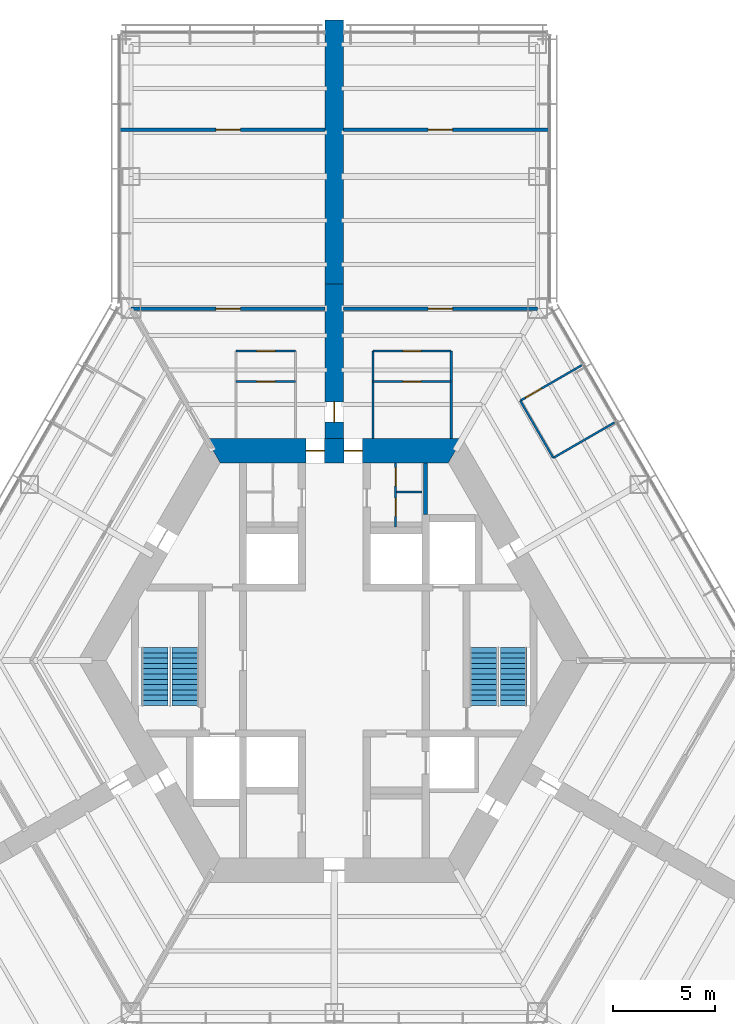
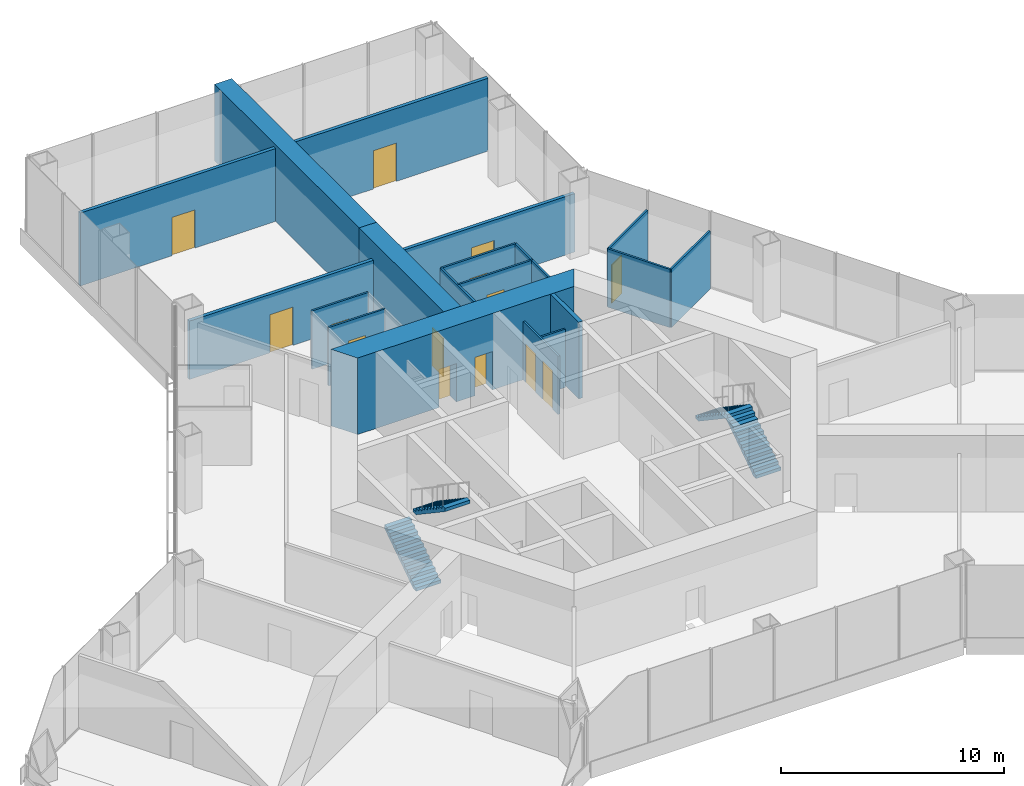
# One storey, part 13 of 16: 19 walls, 14 doors, 4 stair flights, 14 openings, 2 elements without a shape of their own.
"""IFC4 building model written with IfcOpenShell, lengths in metres."""

from ifc_helpers import new_model, si_unit, direction, frame, frame_2d, origin, place, context, subcontext, project, spatial, polyline, rectangle, outline, extrude, material, layer, layer_set, type_object, element, fill, aggregate, save


model = new_model("IFC4")

# Units and contexts
model_context = context("Model", 3, precision=1e-05, world=origin(), true_north=direction((0.0, 1.0)))
body_context = subcontext(model_context, "Body", "Model", "MODEL_VIEW")
ifc_project = project(units=[si_unit("LENGTHUNIT", "METRE"), si_unit("AREAUNIT", "SQUARE_METRE"), si_unit("VOLUMEUNIT", "CUBIC_METRE"), si_unit("PLANEANGLEUNIT", "RADIAN"), si_unit("MASSUNIT", "GRAM", prefix="KILO")], contexts=[model_context])

# Site, building, storey
site_placement = place(None, origin())
site = spatial("IfcSite", under=ifc_project, at=site_placement, CompositionType="ELEMENT")
building_placement = place(site_placement, origin())
building = spatial("IfcBuilding", under=site, at=building_placement, Name="Kasaneha Research Tower", CompositionType="ELEMENT")
storey_placement = place(building_placement, frame((0.0, 0.0, 18.39990234375)))
storey = spatial("IfcBuildingStorey", under=building, at=storey_placement, Name="L05", CompositionType="ELEMENT", Elevation=18.39990234375)

# Wall, openings, doors
ifc_material_1 = material(Name="Concrete Fc100", Category="concrete")
ifc_layer_1 = layer(ifc_material_1, 1.199951171875)
ifc_layer_set_1 = layer_set([ifc_layer_1], Name="Core wall 1200 Fc100")
wall_type_1 = type_object("IfcWallType", Name="Core wall 1200 Fc100", PredefinedType="SHEAR", material=ifc_layer_set_1)
wall_1_placement = place(storey_placement, frame((5.961181640625, 10.324951171875, 0.0), z_axis=(0.0, 0.0, 1.0), x_axis=(-1.0, 0.0, 0.0)))
wall_1 = element("IfcWall", 1, at=wall_1_placement, inside=storey, type_object=wall_type_1, Name="Core wall 090 L05", PredefinedType="SHEAR", context=body_context, shape_type="SweptSolid", body=[
    extrude(outline(polyline([(-0.346435546875, -0.60009765625), (4.57373046875, -0.60009765625), (5.4736328125, -0.60009765625), (6.44873046875, -0.60009765625), (7.3486328125, -0.60009765625), (12.268798828125, -0.60009765625), (11.575927734375, 0.60009765625), (7.3486328125, 0.60009765625), (6.44873046875, 0.60009765625), (5.4736328125, 0.60009765625), (4.57373046875, 0.60009765625), (0.346435546875, 0.60009765625), (-0.346435546875, -0.60009765625)])), origin(), (0.0, 0.0, 1.0), 4.2001953125),
])
opening_1_placement = place(wall_1_placement, frame((6.44873046875, 0.0, 0.0)))
opening_1 = element("IfcOpeningElement", 2, at=opening_1_placement, cuts=wall_1, Name="Opening L05-D01", PredefinedType="OPENING", context=body_context, shape_type="SweptSolid", body=[
    extrude(rectangle(XDim=0.89990234375, YDim=2.10009765625, at=frame_2d((0.449951171875, 1.050048828125))), frame((0.0, 0.60986328125, 0.0), z_axis=(0.0, -1.0, 0.0), x_axis=(1.0, 0.0, 0.0)), (0.0, 0.0, 1.0), 1.219970703125),
])
opening_2_placement = place(wall_1_placement, frame((4.57373046875, 0.0, 0.0)))
opening_2 = element("IfcOpeningElement", 3, at=opening_2_placement, cuts=wall_1, Name="Opening L05-D02", PredefinedType="OPENING", context=body_context, shape_type="SweptSolid", body=[
    extrude(rectangle(XDim=0.89990234375, YDim=2.10009765625, at=frame_2d((0.449951171875, 1.050048828125))), frame((0.0, 0.60986328125, 0.0), z_axis=(0.0, -1.0, 0.0), x_axis=(1.0, 0.0, 0.0)), (0.0, 0.0, 1.0), 1.219970703125),
])
ifc_material_2 = material(Name="Steel", Category="steel")
door_type_1 = type_object("IfcDoorType", Name="Toilet door FD20 900x2100", OperationType="NOTDEFINED", PredefinedType="DOOR", material=ifc_material_2)
door_1_placement = place(opening_1_placement, origin())
door_1 = element("IfcDoor", 4, at=door_1_placement, inside=storey, type_object=door_type_1, Name="Core door north 1 L05-D01", OperationType="SINGLE_SWING_RIGHT", OverallHeight=2.10009765625, OverallWidth=0.89990234375, PredefinedType="DOOR", context=body_context, shape_type="SweptSolid", body=[
    extrude(rectangle(XDim=0.89990234375, YDim=2.10009765625, at=frame_2d((0.449951171875, 1.050048828125))), frame((0.0, 0.02490234375, 0.0), z_axis=(0.0, -1.0, 0.0), x_axis=(1.0, 0.0, 0.0)), (0.0, 0.0, 1.0), 0.050048828125),
])
fill(opening_1, door_1)
door_2_placement = place(opening_2_placement, origin())
door_2 = element("IfcDoor", 5, at=door_2_placement, inside=storey, type_object=door_type_1, Name="Core door north 2 L05-D02", OperationType="SINGLE_SWING_LEFT", OverallHeight=2.10009765625, OverallWidth=0.89990234375, PredefinedType="DOOR", context=body_context, shape_type="SweptSolid", body=[
    extrude(rectangle(XDim=0.89990234375, YDim=2.10009765625, at=frame_2d((0.449951171875, 1.050048828125))), frame((0.0, 0.02490234375, 0.0), z_axis=(0.0, -1.0, 0.0), x_axis=(1.0, 0.0, 0.0)), (0.0, 0.0, 1.0), 0.050048828125),
])
fill(opening_2, door_2)

# Wall, opening, door
ifc_material_3 = material(Name="Gypsum board on steel studs, two layers each side", Category="steel")
ifc_layer_2 = layer(ifc_material_3, 0.175048828125)
ifc_layer_set_2 = layer_set([ifc_layer_2], Name="Laboratory fire partition 175")
wall_type_2 = type_object("IfcWallType", Name="Laboratory fire partition 175", PredefinedType="PARTITIONING", material=ifc_layer_set_2)
wall_2_placement = place(storey_placement, frame((0.449951171875, 17.320556640625, 0.0), z_axis=(0.0, 0.0, 1.0), x_axis=(1.0, 0.0, 0.0)))
wall_2 = element("IfcWall", 6, at=wall_2_placement, inside=storey, type_object=wall_type_2, Name="Laboratory fire partition LABA-E L05", PredefinedType="PARTITIONING", context=body_context, shape_type="SweptSolid", body=[
    extrude(rectangle(XDim=9.550048828125, YDim=0.175048828125, at=frame_2d((4.77490234375, 0.0))), origin(), (0.0, 0.0, 1.0), 3.2080078125),
])
opening_3_placement = place(wall_2_placement, frame((4.175048828125, 0.0, 0.0)))
opening_3 = element("IfcOpeningElement", 7, at=opening_3_placement, cuts=wall_2, Name="Opening L05-D29", PredefinedType="OPENING", context=body_context, shape_type="SweptSolid", body=[
    extrude(rectangle(XDim=1.199951171875, YDim=2.10009765625, at=frame_2d((0.60009765625, 1.050048828125))), frame((0.0, 0.09765625, 0.0), z_axis=(0.0, -1.0, 0.0), x_axis=(1.0, 0.0, 0.0)), (0.0, 0.0, 1.0), 0.195068359375),
])
ifc_material_4 = material(Name="Steel", Category="steel")
door_type_2 = type_object("IfcDoorType", Name="Laboratory door FD60 1200x2100", OperationType="DOUBLE_DOOR_SINGLE_SWING", PredefinedType="DOOR", material=ifc_material_4)
door_3_placement = place(opening_3_placement, origin())
door_3 = element("IfcDoor", 8, at=door_3_placement, inside=storey, type_object=door_type_2, Name="Laboratory door L05-D29", OperationType="DOUBLE_DOOR_SINGLE_SWING", OverallHeight=2.10009765625, OverallWidth=1.199951171875, PredefinedType="DOOR", context=body_context, shape_type="SweptSolid", body=[
    extrude(rectangle(XDim=1.199951171875, YDim=2.10009765625, at=frame_2d((0.60009765625, 1.050048828125))), frame((0.0, 0.02490234375, 0.0), z_axis=(0.0, -1.0, 0.0), x_axis=(1.0, 0.0, 0.0)), (0.0, 0.0, 1.0), 0.050048828125),
])
fill(opening_3, door_3)

wall_3_placement = place(storey_placement, frame((0.449951171875, 26.12060546875, 0.0), z_axis=(0.0, 0.0, 1.0), x_axis=(1.0, 0.0, 0.0)))
wall_3 = element("IfcWall", 9, at=wall_3_placement, inside=storey, type_object=wall_type_2, Name="Laboratory fire partition SUPA-E L05", PredefinedType="PARTITIONING", context=body_context, shape_type="SweptSolid", body=[
    extrude(rectangle(XDim=10.135009765625, YDim=0.175048828125, at=frame_2d((5.0673828125, 0.0))), origin(), (0.0, 0.0, 1.0), 4.0),
])
opening_4_placement = place(wall_3_placement, frame((4.175048828125, 0.0, 0.0)))
opening_4 = element("IfcOpeningElement", 10, at=opening_4_placement, cuts=wall_3, Name="Opening L05-D31", PredefinedType="OPENING", context=body_context, shape_type="SweptSolid", body=[
    extrude(rectangle(XDim=1.199951171875, YDim=2.10009765625, at=frame_2d((0.60009765625, 1.050048828125))), frame((0.0, 0.09765625, 0.0), z_axis=(0.0, -1.0, 0.0), x_axis=(1.0, 0.0, 0.0)), (0.0, 0.0, 1.0), 0.195068359375),
])
door_4_placement = place(opening_4_placement, origin())
door_4 = element("IfcDoor", 11, at=door_4_placement, inside=storey, type_object=door_type_2, Name="Laboratory support room door L05-D31", OperationType="DOUBLE_DOOR_SINGLE_SWING", OverallHeight=2.10009765625, OverallWidth=1.199951171875, PredefinedType="DOOR", context=body_context, shape_type="SweptSolid", body=[
    extrude(rectangle(XDim=1.199951171875, YDim=2.10009765625, at=frame_2d((0.60009765625, 1.050048828125))), frame((0.0, 0.02490234375, 0.0), z_axis=(0.0, -1.0, 0.0), x_axis=(1.0, 0.0, 0.0)), (0.0, 0.0, 1.0), 0.050048828125),
])
fill(opening_4, door_4)

wall_4_placement = place(storey_placement, frame((-0.449951171875, 17.320556640625, 0.0), z_axis=(0.0, 0.0, 1.0), x_axis=(-1.0, 0.0, 0.0)))
wall_4 = element("IfcWall", 12, at=wall_4_placement, inside=storey, type_object=wall_type_2, Name="Laboratory fire partition LABA-W L05", PredefinedType="PARTITIONING", context=body_context, shape_type="SweptSolid", body=[
    extrude(rectangle(XDim=9.550048828125, YDim=0.175048828125, at=frame_2d((4.77490234375, 0.0))), origin(), (0.0, 0.0, 1.0), 3.2080078125),
])
opening_5_placement = place(wall_4_placement, frame((4.175048828125, 0.0, 0.0)))
opening_5 = element("IfcOpeningElement", 13, at=opening_5_placement, cuts=wall_4, Name="Opening L05-D34", PredefinedType="OPENING", context=body_context, shape_type="SweptSolid", body=[
    extrude(rectangle(XDim=1.199951171875, YDim=2.10009765625, at=frame_2d((0.60009765625, 1.050048828125))), frame((0.0, 0.09765625, 0.0), z_axis=(0.0, -1.0, 0.0), x_axis=(1.0, 0.0, 0.0)), (0.0, 0.0, 1.0), 0.195068359375),
])
door_5_placement = place(opening_5_placement, origin())
door_5 = element("IfcDoor", 14, at=door_5_placement, inside=storey, type_object=door_type_2, Name="Laboratory door L05-D34", OperationType="DOUBLE_DOOR_SINGLE_SWING", OverallHeight=2.10009765625, OverallWidth=1.199951171875, PredefinedType="DOOR", context=body_context, shape_type="SweptSolid", body=[
    extrude(rectangle(XDim=1.199951171875, YDim=2.10009765625, at=frame_2d((0.60009765625, 1.050048828125))), frame((0.0, 0.02490234375, 0.0), z_axis=(0.0, -1.0, 0.0), x_axis=(1.0, 0.0, 0.0)), (0.0, 0.0, 1.0), 0.050048828125),
])
fill(opening_5, door_5)

wall_5_placement = place(storey_placement, frame((-0.449951171875, 26.12060546875, 0.0), z_axis=(0.0, 0.0, 1.0), x_axis=(-1.0, 0.0, 0.0)))
wall_5 = element("IfcWall", 15, at=wall_5_placement, inside=storey, type_object=wall_type_2, Name="Laboratory fire partition SUPA-W L05", PredefinedType="PARTITIONING", context=body_context, shape_type="SweptSolid", body=[
    extrude(rectangle(XDim=10.135009765625, YDim=0.175048828125, at=frame_2d((5.0673828125, 0.0))), origin(), (0.0, 0.0, 1.0), 4.0),
])
opening_6_placement = place(wall_5_placement, frame((4.175048828125, 0.0, 0.0)))
opening_6 = element("IfcOpeningElement", 16, at=opening_6_placement, cuts=wall_5, Name="Opening L05-D35", PredefinedType="OPENING", context=body_context, shape_type="SweptSolid", body=[
    extrude(rectangle(XDim=1.199951171875, YDim=2.10009765625, at=frame_2d((0.60009765625, 1.050048828125))), frame((0.0, 0.09765625, 0.0), z_axis=(0.0, -1.0, 0.0), x_axis=(1.0, 0.0, 0.0)), (0.0, 0.0, 1.0), 0.195068359375),
])
door_6_placement = place(opening_6_placement, origin())
door_6 = element("IfcDoor", 17, at=door_6_placement, inside=storey, type_object=door_type_2, Name="Laboratory support room door L05-D35", OperationType="DOUBLE_DOOR_SINGLE_SWING", OverallHeight=2.10009765625, OverallWidth=1.199951171875, PredefinedType="DOOR", context=body_context, shape_type="SweptSolid", body=[
    extrude(rectangle(XDim=1.199951171875, YDim=2.10009765625, at=frame_2d((0.60009765625, 1.050048828125))), frame((0.0, 0.02490234375, 0.0), z_axis=(0.0, -1.0, 0.0), x_axis=(1.0, 0.0, 0.0)), (0.0, 0.0, 1.0), 0.050048828125),
])
fill(opening_6, door_6)

# Wall, openings, doors
ifc_material_5 = material(Name="Gypsum board on steel studs, one layer each side", Category="steel")
ifc_layer_3 = layer(ifc_material_5, 0.10009765625)
ifc_layer_set_3 = layer_set([ifc_layer_3], Name="Office partition 100")
wall_type_3 = type_object("IfcWallType", Name="Office partition 100", PredefinedType="PARTITIONING", material=ifc_layer_set_3)
wall_6_placement = place(storey_placement, frame((3.02490234375, 6.574951171875, 0.0), z_axis=(0.0, 0.0, 1.0), x_axis=(0.0, 1.0, 0.0)))
wall_6 = element("IfcWall", 18, at=wall_6_placement, inside=storey, type_object=wall_type_3, Name="Office partition TBF1 L05", PredefinedType="PARTITIONING", context=body_context, shape_type="SweptSolid", body=[
    extrude(rectangle(XDim=3.150146484375, YDim=0.10009765625, at=frame_2d((1.5751953125, 0.0))), origin(), (0.0, 0.0, 1.0), 3.2001953125),
])
opening_7_placement = place(wall_6_placement, frame((0.512451171875, 0.0, 0.0)))
opening_7 = element("IfcOpeningElement", 19, at=opening_7_placement, cuts=wall_6, Name="Opening L05-D22", PredefinedType="OPENING", context=body_context, shape_type="SweptSolid", body=[
    extrude(rectangle(XDim=0.89990234375, YDim=2.10009765625, at=frame_2d((0.449951171875, 1.050048828125))), frame((0.0, 0.06005859375, 0.0), z_axis=(0.0, -1.0, 0.0), x_axis=(1.0, 0.0, 0.0)), (0.0, 0.0, 1.0), 0.1201171875),
])
opening_8_placement = place(wall_6_placement, frame((2.012451171875, 0.0, 0.0)))
opening_8 = element("IfcOpeningElement", 20, at=opening_8_placement, cuts=wall_6, Name="Opening L05-D23", PredefinedType="OPENING", context=body_context, shape_type="SweptSolid", body=[
    extrude(rectangle(XDim=0.89990234375, YDim=2.10009765625, at=frame_2d((0.449951171875, 1.050048828125))), frame((0.0, 0.06005859375, 0.0), z_axis=(0.0, -1.0, 0.0), x_axis=(1.0, 0.0, 0.0)), (0.0, 0.0, 1.0), 0.1201171875),
])
ifc_material_6 = material(Name="Steel", Category="steel")
door_type_3 = type_object("IfcDoorType", Name="Toilet lobby door FD30 900x2100", OperationType="NOTDEFINED", PredefinedType="DOOR", material=ifc_material_6)
door_7_placement = place(opening_7_placement, origin())
door_7 = element("IfcDoor", 21, at=door_7_placement, inside=storey, type_object=door_type_3, Name="Women's WC door L05-D22", OperationType="SINGLE_SWING_RIGHT", OverallHeight=2.10009765625, OverallWidth=0.89990234375, PredefinedType="DOOR", context=body_context, shape_type="SweptSolid", body=[
    extrude(rectangle(XDim=0.89990234375, YDim=2.10009765625, at=frame_2d((0.449951171875, 1.050048828125))), frame((0.0, 0.02490234375, 0.0), z_axis=(0.0, -1.0, 0.0), x_axis=(1.0, 0.0, 0.0)), (0.0, 0.0, 1.0), 0.050048828125),
])
fill(opening_7, door_7)
door_8_placement = place(opening_8_placement, origin())
door_8 = element("IfcDoor", 22, at=door_8_placement, inside=storey, type_object=door_type_3, Name="Staff WC door L05-D23", OperationType="SINGLE_SWING_RIGHT", OverallHeight=2.10009765625, OverallWidth=0.89990234375, PredefinedType="DOOR", context=body_context, shape_type="SweptSolid", body=[
    extrude(rectangle(XDim=0.89990234375, YDim=2.10009765625, at=frame_2d((0.449951171875, 1.050048828125))), frame((0.0, 0.02490234375, 0.0), z_axis=(0.0, -1.0, 0.0), x_axis=(1.0, 0.0, 0.0)), (0.0, 0.0, 1.0), 0.050048828125),
])
fill(opening_8, door_8)

# Wall
wall_7_placement = place(storey_placement, frame((3.074951171875, 8.300048828125, 0.0), z_axis=(0.0, 0.0, 1.0), x_axis=(1.0, 0.0, 0.0)))
element("IfcWall", 23, at=wall_7_placement, inside=storey, type_object=wall_type_3, Name="Office partition TBF2 L05", PredefinedType="PARTITIONING", context=body_context, shape_type="SweptSolid", body=[
    extrude(rectangle(XDim=1.25, YDim=0.10009765625, at=frame_2d((0.625, 0.0))), origin(), (0.0, 0.0, 1.0), 3.2001953125),
])

# Wall, opening, door
wall_8_placement = place(storey_placement, frame((1.89990234375, 13.72509765625, 0.0), z_axis=(0.0, 0.0, 1.0), x_axis=(1.0, 0.0, 0.0)))
wall_8 = element("IfcWall", 24, at=wall_8_placement, inside=storey, type_object=wall_type_3, Name="Office partition WCAE1 L05", PredefinedType="PARTITIONING", context=body_context, shape_type="SweptSolid", body=[
    extrude(rectangle(XDim=3.857177734375, YDim=0.10009765625, at=frame_2d((1.9287109375, 0.0))), origin(), (0.0, 0.0, 1.0), 3.2001953125),
])
opening_9_placement = place(wall_8_placement, frame((1.478515625, 0.0, 0.0)))
opening_9 = element("IfcOpeningElement", 25, at=opening_9_placement, cuts=wall_8, Name="Opening L05-D27", PredefinedType="OPENING", context=body_context, shape_type="SweptSolid", body=[
    extrude(rectangle(XDim=0.89990234375, YDim=2.10009765625, at=frame_2d((0.449951171875, 1.050048828125))), frame((0.0, 0.06005859375, 0.0), z_axis=(0.0, -1.0, 0.0), x_axis=(1.0, 0.0, 0.0)), (0.0, 0.0, 1.0), 0.1201171875),
])
door_9_placement = place(opening_9_placement, origin())
door_9 = element("IfcDoor", 26, at=door_9_placement, inside=storey, type_object=door_type_3, Name="Women's WC door L05-D27", OperationType="SINGLE_SWING_RIGHT", OverallHeight=2.10009765625, OverallWidth=0.89990234375, PredefinedType="DOOR", context=body_context, shape_type="SweptSolid", body=[
    extrude(rectangle(XDim=0.89990234375, YDim=2.10009765625, at=frame_2d((0.449951171875, 1.050048828125))), frame((0.0, 0.02490234375, 0.0), z_axis=(0.0, -1.0, 0.0), x_axis=(1.0, 0.0, 0.0)), (0.0, 0.0, 1.0), 0.050048828125),
])
fill(opening_9, door_9)

wall_9_placement = place(storey_placement, frame((1.89990234375, 15.22509765625, 0.0), z_axis=(0.0, 0.0, 1.0), x_axis=(1.0, 0.0, 0.0)))
wall_9 = element("IfcWall", 27, at=wall_9_placement, inside=storey, type_object=wall_type_3, Name="Office partition WCAE4 L05", PredefinedType="PARTITIONING", context=body_context, shape_type="SweptSolid", body=[
    extrude(rectangle(XDim=3.857177734375, YDim=0.10009765625, at=frame_2d((1.9287109375, 0.0))), origin(), (0.0, 0.0, 1.0), 3.2001953125),
])
opening_10_placement = place(wall_9_placement, frame((1.478515625, 0.0, 0.0)))
opening_10 = element("IfcOpeningElement", 28, at=opening_10_placement, cuts=wall_9, Name="Opening L05-D28", PredefinedType="OPENING", context=body_context, shape_type="SweptSolid", body=[
    extrude(rectangle(XDim=0.89990234375, YDim=2.10009765625, at=frame_2d((0.449951171875, 1.050048828125))), frame((0.0, 0.06005859375, 0.0), z_axis=(0.0, -1.0, 0.0), x_axis=(1.0, 0.0, 0.0)), (0.0, 0.0, 1.0), 0.1201171875),
])
door_10_placement = place(opening_10_placement, origin())
door_10 = element("IfcDoor", 29, at=door_10_placement, inside=storey, type_object=door_type_3, Name="Toilet lobby door L05-D28", OperationType="SINGLE_SWING_RIGHT", OverallHeight=2.10009765625, OverallWidth=0.89990234375, PredefinedType="DOOR", context=body_context, shape_type="SweptSolid", body=[
    extrude(rectangle(XDim=0.89990234375, YDim=2.10009765625, at=frame_2d((0.449951171875, 1.050048828125))), frame((0.0, 0.02490234375, 0.0), z_axis=(0.0, -1.0, 0.0), x_axis=(1.0, 0.0, 0.0)), (0.0, 0.0, 1.0), 0.050048828125),
])
fill(opening_10, door_10)

# Walls
for number, where, z_axis, x_axis, name in (
    (30, (1.89990234375, 10.925048828125, 0.0), (0.0, 0.0, 1.0), (0.0, 1.0, 0.0), "Office partition WCAE2 L05"),
    (31, (5.757080078125, 10.925048828125, 0.0), (0.0, 0.0, 1.0), (0.0, 1.0, 0.0), "Office partition WCAE3 L05"),
):
    element("IfcWall", number, at=place(storey_placement, frame(where, z_axis=z_axis, x_axis=x_axis)), inside=storey, type_object=wall_type_3, Name=name, PredefinedType="PARTITIONING", context=body_context, shape_type="SweptSolid", body=[
        extrude(rectangle(XDim=4.300048828125, YDim=0.10009765625, at=frame_2d((2.14990234375, 0.0))), origin(), (0.0, 0.0, 1.0), 3.2001953125),
    ])

# Wall, opening, door
wall_10_placement = place(storey_placement, frame((9.155517578125, 12.783203125, 0.0), z_axis=(0.0, 0.0, 1.0), x_axis=(0.866013176292, 0.50002117804, 0.0)))
wall_10 = element("IfcWall", 32, at=wall_10_placement, inside=storey, type_object=wall_type_3, Name="Office partition FAE01 L05", PredefinedType="PARTITIONING", context=body_context, shape_type="SweptSolid", body=[
    extrude(rectangle(XDim=3.489990234375, YDim=0.10009765625, at=frame_2d((1.7451171875, 0.0))), origin(), (0.0, 0.0, 1.0), 3.2001953125),
])
opening_11_placement = place(wall_10_placement, frame((0.300048828125, 0.0, 0.0)))
opening_11 = element("IfcOpeningElement", 33, at=opening_11_placement, cuts=wall_10, Name="Opening L05-D30", PredefinedType="OPENING", context=body_context, shape_type="SweptSolid", body=[
    extrude(rectangle(XDim=0.89990234375, YDim=2.10009765625, at=frame_2d((0.449951171875, 1.050048828125))), frame((0.0, 0.06005859375, 0.0), z_axis=(0.0, -1.0, 0.0), x_axis=(1.0, 0.0, 0.0)), (0.0, 0.0, 1.0), 0.1201171875),
])
ifc_material_7 = material(Name="Timber veneer", Category="wood")
door_type_4 = type_object("IfcDoorType", Name="Office door 900x2100", OperationType="SINGLE_SWING_LEFT", PredefinedType="DOOR", material=ifc_material_7)
door_11_placement = place(opening_11_placement, origin())
door_11 = element("IfcDoor", 34, at=door_11_placement, inside=storey, type_object=door_type_4, Name="Specimen preparation room door L05-D30", OperationType="SINGLE_SWING_LEFT", OverallHeight=2.10009765625, OverallWidth=0.89990234375, PredefinedType="DOOR", context=body_context, shape_type="SweptSolid", body=[
    extrude(rectangle(XDim=0.89990234375, YDim=2.10009765625, at=frame_2d((0.449951171875, 1.050048828125))), frame((0.0, 0.02490234375, 0.0), z_axis=(0.0, -1.0, 0.0), x_axis=(1.0, 0.0, 0.0)), (0.0, 0.0, 1.0), 0.050048828125),
])
fill(opening_11, door_11)

# Walls
wall_11_placement = place(storey_placement, frame((10.77880859375, 9.9716796875, 0.0), z_axis=(0.0, 0.0, 1.0), x_axis=(-0.500013214685, 0.866017774148, 0.0)))
element("IfcWall", 35, at=wall_11_placement, inside=storey, type_object=wall_type_3, Name="Office partition FAE02 L05", PredefinedType="PARTITIONING", context=body_context, shape_type="SweptSolid", body=[
    extrude(rectangle(XDim=3.24658203125, YDim=0.10009765625, at=frame_2d((1.623291015625, 0.0))), origin(), (0.0, 0.0, 1.0), 3.2001953125),
])
wall_12_placement = place(storey_placement, frame((13.79248046875, 11.711669921875, 0.0), z_axis=(0.0, 0.0, 1.0), x_axis=(-0.86601968407, -0.500009906705, 0.0)))
element("IfcWall", 36, at=wall_12_placement, inside=storey, type_object=wall_type_3, Name="Office partition FAE03 L05", PredefinedType="PARTITIONING", context=body_context, shape_type="SweptSolid", body=[
    extrude(rectangle(XDim=3.47998046875, YDim=0.10009765625, at=frame_2d((1.739990234375, 0.0))), origin(), (0.0, 0.0, 1.0), 3.2001953125),
])

# Wall, opening, door
wall_13_placement = place(storey_placement, frame((-4.82861328125, 13.72509765625, 0.0), z_axis=(0.0, 0.0, 1.0), x_axis=(1.0, 0.0, 0.0)))
wall_13 = element("IfcWall", 37, at=wall_13_placement, inside=storey, type_object=wall_type_3, Name="Office partition WCAW1 L05", PredefinedType="PARTITIONING", context=body_context, shape_type="SweptSolid", body=[
    extrude(rectangle(XDim=2.9287109375, YDim=0.10009765625, at=frame_2d((1.46435546875, 0.0))), origin(), (0.0, 0.0, 1.0), 3.2001953125),
])
opening_12_placement = place(wall_13_placement, frame((1.01416015625, 0.0, 0.0)))
opening_12 = element("IfcOpeningElement", 38, at=opening_12_placement, cuts=wall_13, Name="Opening L05-D32", PredefinedType="OPENING", context=body_context, shape_type="SweptSolid", body=[
    extrude(rectangle(XDim=0.89990234375, YDim=2.10009765625, at=frame_2d((0.449951171875, 1.050048828125))), frame((0.0, 0.06005859375, 0.0), z_axis=(0.0, -1.0, 0.0), x_axis=(1.0, 0.0, 0.0)), (0.0, 0.0, 1.0), 0.1201171875),
])
door_12_placement = place(opening_12_placement, origin())
door_12 = element("IfcDoor", 39, at=door_12_placement, inside=storey, type_object=door_type_3, Name="Men's WC door L05-D32", OperationType="SINGLE_SWING_LEFT", OverallHeight=2.10009765625, OverallWidth=0.89990234375, PredefinedType="DOOR", context=body_context, shape_type="SweptSolid", body=[
    extrude(rectangle(XDim=0.89990234375, YDim=2.10009765625, at=frame_2d((0.449951171875, 1.050048828125))), frame((0.0, 0.02490234375, 0.0), z_axis=(0.0, -1.0, 0.0), x_axis=(1.0, 0.0, 0.0)), (0.0, 0.0, 1.0), 0.050048828125),
])
fill(opening_12, door_12)

wall_14_placement = place(storey_placement, frame((-4.82861328125, 15.22509765625, 0.0), z_axis=(0.0, 0.0, 1.0), x_axis=(1.0, 0.0, 0.0)))
wall_14 = element("IfcWall", 40, at=wall_14_placement, inside=storey, type_object=wall_type_3, Name="Office partition WCAW4 L05", PredefinedType="PARTITIONING", context=body_context, shape_type="SweptSolid", body=[
    extrude(rectangle(XDim=2.9287109375, YDim=0.10009765625, at=frame_2d((1.46435546875, 0.0))), origin(), (0.0, 0.0, 1.0), 3.2001953125),
])
opening_13_placement = place(wall_14_placement, frame((1.01416015625, 0.0, 0.0)))
opening_13 = element("IfcOpeningElement", 41, at=opening_13_placement, cuts=wall_14, Name="Opening L05-D33", PredefinedType="OPENING", context=body_context, shape_type="SweptSolid", body=[
    extrude(rectangle(XDim=0.89990234375, YDim=2.10009765625, at=frame_2d((0.449951171875, 1.050048828125))), frame((0.0, 0.06005859375, 0.0), z_axis=(0.0, -1.0, 0.0), x_axis=(1.0, 0.0, 0.0)), (0.0, 0.0, 1.0), 0.1201171875),
])
door_13_placement = place(opening_13_placement, origin())
door_13 = element("IfcDoor", 42, at=door_13_placement, inside=storey, type_object=door_type_3, Name="Toilet lobby door L05-D33", OperationType="SINGLE_SWING_LEFT", OverallHeight=2.10009765625, OverallWidth=0.89990234375, PredefinedType="DOOR", context=body_context, shape_type="SweptSolid", body=[
    extrude(rectangle(XDim=0.89990234375, YDim=2.10009765625, at=frame_2d((0.449951171875, 1.050048828125))), frame((0.0, 0.02490234375, 0.0), z_axis=(0.0, -1.0, 0.0), x_axis=(1.0, 0.0, 0.0)), (0.0, 0.0, 1.0), 0.050048828125),
])
fill(opening_13, door_13)

# Wall
ifc_material_8 = material(Name="Concrete block", Category="concrete")
ifc_layer_4 = layer(ifc_material_8, 0.199951171875)
ifc_layer_set_4 = layer_set([ifc_layer_4], Name="Riser enclosure wall 200")
wall_type_4 = type_object("IfcWallType", Name="Riser enclosure wall 200", PredefinedType="STANDARD", material=ifc_layer_set_4)
wall_15_placement = place(storey_placement, frame((4.5, 7.175048828125, 0.0), z_axis=(0.0, 0.0, 1.0), x_axis=(0.0, 1.0, 0.0)))
element("IfcWall", 43, at=wall_15_placement, inside=storey, type_object=wall_type_4, Name="Riser enclosure wall L05", PredefinedType="STANDARD", context=body_context, shape_type="SweptSolid", body=[
    extrude(rectangle(XDim=2.550048828125, YDim=0.199951171875, at=frame_2d((1.27490234375, 0.0))), origin(), (0.0, 0.0, 1.0), 4.2001953125),
])

# Wall, opening, door
ifc_material_9 = material(Name="Concrete Fc100", Category="concrete")
ifc_layer_5 = layer(ifc_material_9, 0.89990234375)
ifc_layer_set_5 = layer_set([ifc_layer_5], Name="Spine wall 900 Fc100")
wall_type_5 = type_object("IfcWallType", Name="Spine wall 900 Fc100", PredefinedType="SHEAR", material=ifc_layer_set_5)
wall_16_placement = place(storey_placement, frame((0.0, 10.925048828125, 0.0), z_axis=(0.0, 0.0, 1.0), x_axis=(0.0, 1.0, 0.0)))
wall_16 = element("IfcWall", 44, at=wall_16_placement, inside=storey, type_object=wall_type_5, Name="Spine wall A L05", PredefinedType="SHEAR", context=body_context, shape_type="SweptSolid", body=[
    extrude(rectangle(XDim=7.595458984375, YDim=0.89990234375, at=frame_2d((3.7978515625, 0.0))), origin(), (0.0, 0.0, 1.0), 4.2001953125),
])
opening_14_placement = place(wall_16_placement, frame((0.800048828125, 0.0, 0.0)))
opening_14 = element("IfcOpeningElement", 45, at=opening_14_placement, cuts=wall_16, Name="Opening L05-D17", PredefinedType="OPENING", context=body_context, shape_type="SweptSolid", body=[
    extrude(rectangle(XDim=1.0, YDim=2.10009765625, at=frame_2d((0.5, 1.050048828125))), frame((0.0, 0.4599609375, 0.0), z_axis=(0.0, -1.0, 0.0), x_axis=(1.0, 0.0, 0.0)), (0.0, 0.0, 1.0), 0.919921875),
])
ifc_material_10 = material(Name="Steel", Category="steel")
door_type_5 = type_object("IfcDoorType", Name="Specified fire door FD60 1000x2100", OperationType="NOTDEFINED", PredefinedType="DOOR", material=ifc_material_10)
door_14_placement = place(opening_14_placement, origin())
door_14 = element("IfcDoor", 46, at=door_14_placement, inside=storey, type_object=door_type_5, Name="Spine doorway A L05-D17", OperationType="SINGLE_SWING_LEFT", OverallHeight=2.10009765625, OverallWidth=1.0, PredefinedType="DOOR", context=body_context, shape_type="SweptSolid", body=[
    extrude(rectangle(XDim=1.0, YDim=2.10009765625, at=frame_2d((0.5, 1.050048828125))), frame((0.0, 0.02490234375, 0.0), z_axis=(0.0, -1.0, 0.0), x_axis=(1.0, 0.0, 0.0)), (0.0, 0.0, 1.0), 0.050048828125),
])
fill(opening_14, door_14)

# Wall
wall_17_placement = place(storey_placement, frame((0.0, 18.5205078125, 0.0), z_axis=(0.0, 0.0, 1.0), x_axis=(0.0, 1.0, 0.0)))
element("IfcWall", 47, at=wall_17_placement, inside=storey, type_object=wall_type_5, Name="Spine wall A wing L05", PredefinedType="SHEAR", context=body_context, shape_type="SweptSolid", body=[
    extrude(rectangle(XDim=13.0, YDim=0.89990234375, at=frame_2d((6.5, 0.0))), origin(), (0.0, 0.0, 1.0), 4.2001953125),
])

# Stair, stair flights
ifc_material_11 = material(Name="Concrete Fc24", Category="concrete")
stair_type = type_object("IfcStairType", Name="Half-turn stair 24 risers", PredefinedType="HALF_TURN_STAIR", material=ifc_material_11)
stair_1_placement = place(storey_placement, origin())
stair_1 = element("IfcStair", 48, at=stair_1_placement, inside=storey, type_object=stair_type, Name="Stair 1 L05", PredefinedType="HALF_TURN_STAIR")
ifc_material_12 = material(Name="Concrete Fc24", Category="concrete")
stair_flight_type = type_object("IfcStairFlightType", Name="Stair flight 12 risers 175.0", PredefinedType="STRAIGHT", material=ifc_material_12)
stair_flight_1_placement = place(storey_placement, frame((8.824951171875, -2.22509765625, 0.0), z_axis=(0.0, 0.0, 1.0), x_axis=(0.0, 1.0, 0.0)))
stair_flight_1 = element("IfcStairFlight", 49, at=stair_flight_1_placement, type_object=stair_flight_type, Name="ST1-24R flight 1", NumberOfRisers=12, NumberOfTreads=11, PredefinedType="STRAIGHT", RiserHeight=0.175, TreadLength=0.26, context=body_context, shape_type="SweptSolid", body=[
    extrude(outline(polyline([(0.0, 0.0), (0.0, 0.175048828125), (0.260009765625, 0.175048828125), (0.260009765625, 0.35009765625), (0.52001953125, 0.35009765625), (0.52001953125, 0.52490234375), (0.780029296875, 0.52490234375), (0.780029296875, 0.699951171875), (1.0400390625, 0.699951171875), (1.0400390625, 0.875), (1.300048828125, 0.875), (1.300048828125, 1.050048828125), (1.56005859375, 1.050048828125), (1.56005859375, 1.22509765625), (1.820068359375, 1.22509765625), (1.820068359375, 1.39990234375), (2.080078125, 1.39990234375), (2.080078125, 1.574951171875), (2.340087890625, 1.574951171875), (2.340087890625, 1.75), (2.60009765625, 1.75), (2.60009765625, 1.925048828125), (2.860107421875, 1.925048828125), (2.860107421875, 2.10009765625), (2.860107421875, 1.744384765625), (0.2685546875, 0.0), (0.0, 0.0)])), frame((0.0, 0.64990234375, 0.0), z_axis=(0.0, -1.0, 0.0), x_axis=(1.0, 0.0, 0.0)), (0.0, 0.0, 1.0), 1.300048828125),
])
stair_flight_2_placement = place(storey_placement, frame((7.324951171875, 0.635009765625, 2.10009765625), z_axis=(0.0, 0.0, 1.0), x_axis=(0.0, -1.0, 0.0)))
stair_flight_2 = element("IfcStairFlight", 50, at=stair_flight_2_placement, type_object=stair_flight_type, Name="ST1-24R flight 2", NumberOfRisers=12, NumberOfTreads=11, PredefinedType="STRAIGHT", RiserHeight=0.175, TreadLength=0.26, context=body_context, shape_type="SweptSolid", body=[
    extrude(outline(polyline([(0.0, 0.0), (0.0, 0.175048828125), (0.260009765625, 0.175048828125), (0.260009765625, 0.35009765625), (0.52001953125, 0.35009765625), (0.52001953125, 0.52490234375), (0.780029296875, 0.52490234375), (0.780029296875, 0.699951171875), (1.0400390625, 0.699951171875), (1.0400390625, 0.875), (1.300048828125, 0.875), (1.300048828125, 1.050048828125), (1.56005859375, 1.050048828125), (1.56005859375, 1.22509765625), (1.820068359375, 1.22509765625), (1.820068359375, 1.39990234375), (2.080078125, 1.39990234375), (2.080078125, 1.574951171875), (2.340087890625, 1.574951171875), (2.340087890625, 1.75), (2.60009765625, 1.75), (2.60009765625, 1.925048828125), (2.860107421875, 1.925048828125), (2.860107421875, 2.10009765625), (2.860107421875, 1.744384765625), (0.2685546875, 0.0), (0.0, 0.0)])), frame((0.0, 0.64990234375, 0.0), z_axis=(0.0, -1.0, 0.0), x_axis=(1.0, 0.0, 0.0)), (0.0, 0.0, 1.0), 1.300048828125),
])
aggregate(stair_1, [stair_flight_1, stair_flight_2])

stair_2_placement = place(storey_placement, origin())
stair_2 = element("IfcStair", 51, at=stair_2_placement, inside=storey, type_object=stair_type, Name="Stair 2 L05", PredefinedType="HALF_TURN_STAIR")
stair_flight_3_placement = place(storey_placement, frame((-8.824951171875, -2.22509765625, 0.0), z_axis=(0.0, 0.0, 1.0), x_axis=(0.0, 1.0, 0.0)))
stair_flight_3 = element("IfcStairFlight", 52, at=stair_flight_3_placement, type_object=stair_flight_type, Name="ST2-24R flight 1", NumberOfRisers=12, NumberOfTreads=11, PredefinedType="STRAIGHT", RiserHeight=0.175, TreadLength=0.26, context=body_context, shape_type="SweptSolid", body=[
    extrude(outline(polyline([(0.0, 0.0), (0.0, 0.175048828125), (0.260009765625, 0.175048828125), (0.260009765625, 0.35009765625), (0.52001953125, 0.35009765625), (0.52001953125, 0.52490234375), (0.780029296875, 0.52490234375), (0.780029296875, 0.699951171875), (1.0400390625, 0.699951171875), (1.0400390625, 0.875), (1.300048828125, 0.875), (1.300048828125, 1.050048828125), (1.56005859375, 1.050048828125), (1.56005859375, 1.22509765625), (1.820068359375, 1.22509765625), (1.820068359375, 1.39990234375), (2.080078125, 1.39990234375), (2.080078125, 1.574951171875), (2.340087890625, 1.574951171875), (2.340087890625, 1.75), (2.60009765625, 1.75), (2.60009765625, 1.925048828125), (2.860107421875, 1.925048828125), (2.860107421875, 2.10009765625), (2.860107421875, 1.744384765625), (0.2685546875, 0.0), (0.0, 0.0)])), frame((0.0, 0.64990234375, 0.0), z_axis=(0.0, -1.0, 0.0), x_axis=(1.0, 0.0, 0.0)), (0.0, 0.0, 1.0), 1.300048828125),
])
stair_flight_4_placement = place(storey_placement, frame((-7.324951171875, 0.635009765625, 2.10009765625), z_axis=(0.0, 0.0, 1.0), x_axis=(0.0, -1.0, 0.0)))
stair_flight_4 = element("IfcStairFlight", 53, at=stair_flight_4_placement, type_object=stair_flight_type, Name="ST2-24R flight 2", NumberOfRisers=12, NumberOfTreads=11, PredefinedType="STRAIGHT", RiserHeight=0.175, TreadLength=0.26, context=body_context, shape_type="SweptSolid", body=[
    extrude(outline(polyline([(0.0, 0.0), (0.0, 0.175048828125), (0.260009765625, 0.175048828125), (0.260009765625, 0.35009765625), (0.52001953125, 0.35009765625), (0.52001953125, 0.52490234375), (0.780029296875, 0.52490234375), (0.780029296875, 0.699951171875), (1.0400390625, 0.699951171875), (1.0400390625, 0.875), (1.300048828125, 0.875), (1.300048828125, 1.050048828125), (1.56005859375, 1.050048828125), (1.56005859375, 1.22509765625), (1.820068359375, 1.22509765625), (1.820068359375, 1.39990234375), (2.080078125, 1.39990234375), (2.080078125, 1.574951171875), (2.340087890625, 1.574951171875), (2.340087890625, 1.75), (2.60009765625, 1.75), (2.60009765625, 1.925048828125), (2.860107421875, 1.925048828125), (2.860107421875, 2.10009765625), (2.860107421875, 1.744384765625), (0.2685546875, 0.0), (0.0, 0.0)])), frame((0.0, 0.64990234375, 0.0), z_axis=(0.0, -1.0, 0.0), x_axis=(1.0, 0.0, 0.0)), (0.0, 0.0, 1.0), 1.300048828125),
])
aggregate(stair_2, [stair_flight_3, stair_flight_4])

save(model, "model.ifc")
